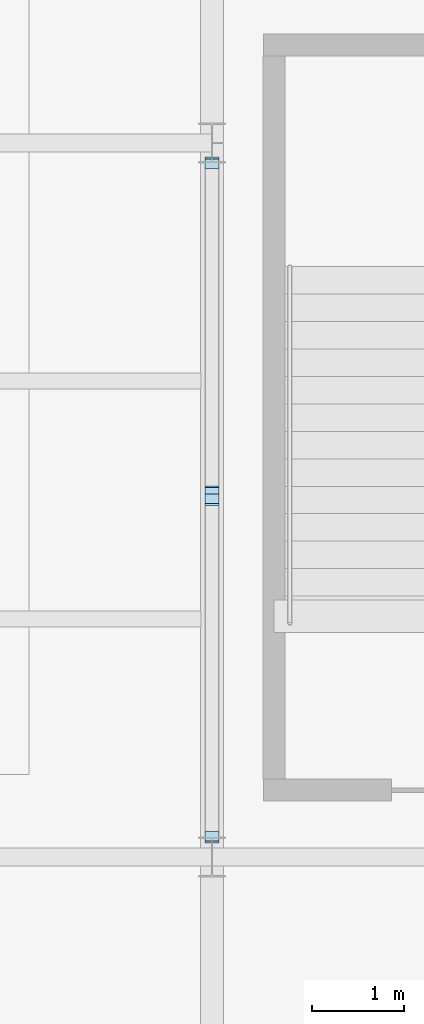
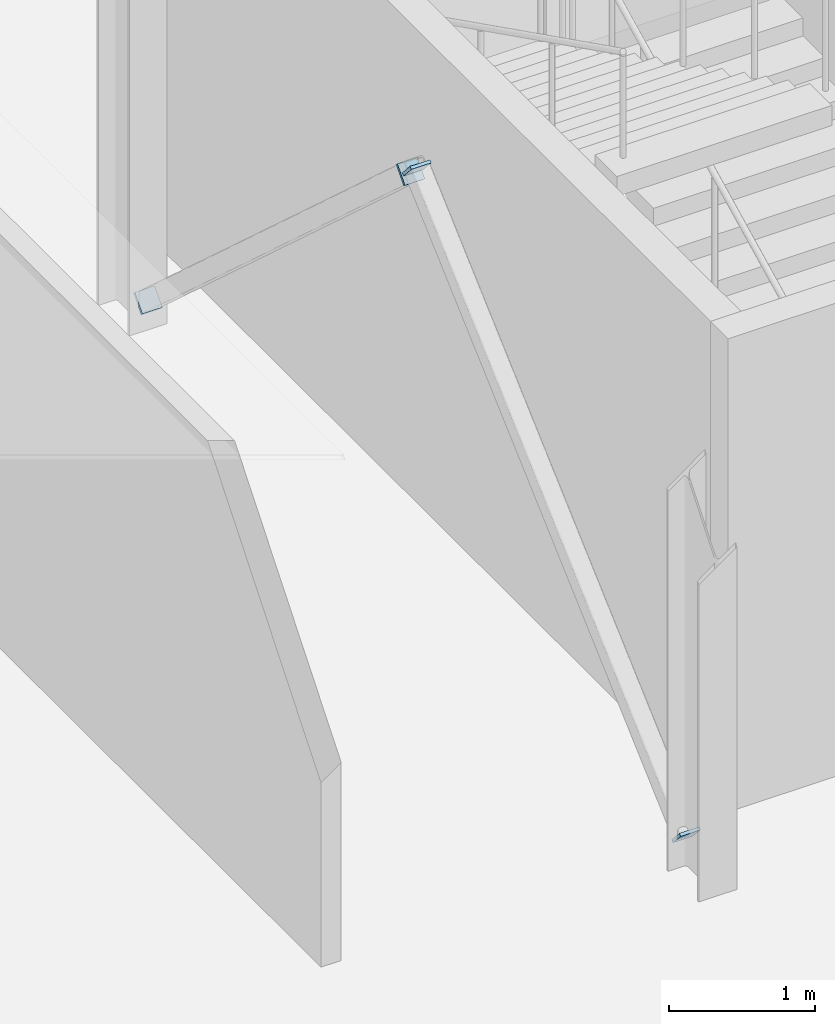
# One storey, part 56 of 75: 4 plates.
"""IFC4 building model written with IfcOpenShell, lengths in metres."""

import ifcopenshell
import ifcopenshell.guid

model = None  # the IFC model being written
_history = None  # IfcOwnerHistory: only IFC2X3 demands one
_inside = {}  # id of a spatial element -> (the spatial element, [elements in it])
_under = {}  # id of a project, library or spatial element -> (it, [spatial elements below it])
_declared = {}  # id of a project -> (the project, [libraries it declares])
_typed = {}  # id of a type object -> (the type object, [elements of that type])
_made_of = {}  # id of a material, layer set ... -> (it, [elements and type objects made of it])


def new_model(schema):
    """Start an empty IFC model of exactly this schema.

    Asked for "IFC4X3", IfcOpenShell would pick the latest addendum, in which some entities
    have other attributes; the version numbers below select the first issue.
    IFC2X3 requires an IfcOwnerHistory on every rooted entity: one is made here for all.
    """
    global model, _history
    if schema == "IFC4X3":
        model = ifcopenshell.file(schema_version=(4, 3, 0, 0))
    else:
        model = ifcopenshell.file(schema=schema)
    _inside.clear()
    _under.clear()
    _declared.clear()
    _typed.clear()
    _made_of.clear()
    _history = None
    if model.schema == "IFC2X3":
        org = make("IfcOrganization", Name="unknown")
        user = make(
            "IfcPersonAndOrganization",
            ThePerson=make("IfcPerson", FamilyName="unknown"),
            TheOrganization=org,
        )
        app = make(
            "IfcApplication",
            ApplicationDeveloper=org,
            Version="unknown",
            ApplicationFullName="unknown",
            ApplicationIdentifier="unknown",
        )
        _history = make(
            "IfcOwnerHistory",
            OwningUser=user,
            OwningApplication=app,
            ChangeAction="ADDED",
            CreationDate=0,
        )
    return model


def make(cls, **values):
    """One entity of the class cls with the attributes given. An attribute that is None is left unset."""
    return model.create_entity(
        cls, **{name: value for name, value in values.items() if value is not None}
    )


def rooted(cls, **values):
    """An entity with a GlobalId (a new one), such as an element, a storey or a relation."""
    return make(cls, GlobalId=ifcopenshell.guid.new(), OwnerHistory=_history, **values)


def si_unit(unit_type, name, prefix=None):
    """IfcSIUnit, for example si_unit("LENGTHUNIT", "METRE", prefix="MILLI")."""
    return make("IfcSIUnit", UnitType=unit_type, Prefix=prefix, Name=name)


def assignment(units):
    """IfcUnitAssignment: the units of a project."""
    return None if units is None else make("IfcUnitAssignment", Units=units)


def point(xyz):
    """IfcCartesianPoint."""
    return None if xyz is None else make("IfcCartesianPoint", Coordinates=xyz)


def direction(xyz):
    """IfcDirection."""
    return None if xyz is None else make("IfcDirection", DirectionRatios=xyz)


def frame(location, z_axis=None, x_axis=None):
    """IfcAxis2Placement3D, a coordinate frame: its origin and axes. An axis left out is left unset."""
    return make(
        "IfcAxis2Placement3D",
        Location=point(location),
        Axis=direction(z_axis),
        RefDirection=direction(x_axis),
    )


def frame_2d(location, x_axis=None):
    """IfcAxis2Placement2D, a coordinate frame in the plane: its origin and x axis."""
    return make(
        "IfcAxis2Placement2D", Location=point(location), RefDirection=direction(x_axis)
    )


def origin():
    """The frame at (0, 0, 0) with its axes left unset."""
    return frame((0.0, 0.0, 0.0))


def origin_2d():
    """The frame at (0, 0) in the plane with its x axis left unset."""
    return frame_2d((0.0, 0.0))


def place(relative_to, where):
    """IfcLocalPlacement: puts the frame where relative to a parent placement (None: the world)."""
    return make(
        "IfcLocalPlacement", PlacementRelTo=relative_to, RelativePlacement=where
    )


def context(
    kind, dimensions, precision=None, world=None, true_north=None, identifier=None
):
    """IfcGeometricRepresentationContext, for example the 3D "Model" context."""
    return make(
        "IfcGeometricRepresentationContext",
        ContextIdentifier=identifier,
        ContextType=kind,
        CoordinateSpaceDimension=dimensions,
        Precision=precision,
        WorldCoordinateSystem=world,
        TrueNorth=true_north,
    )


def subcontext(parent, identifier, kind, view, scale=None):
    """IfcGeometricRepresentationSubContext, for example "Body" below "Model"."""
    return make(
        "IfcGeometricRepresentationSubContext",
        ContextIdentifier=identifier,
        ContextType=kind,
        ParentContext=parent,
        TargetScale=scale,
        TargetView=view,
    )


def project(units=None, contexts=None):
    """IfcProject with its units and contexts."""
    return rooted(
        "IfcProject",
        Name="project",
        RepresentationContexts=contexts,
        UnitsInContext=assignment(units),
    )


def spatial(cls, under=None, at=None, **own):
    """A site, building, storey or space (cls), placed at a placement, below another one or the project."""
    s = rooted(cls, ObjectPlacement=at, **own)
    if under is not None:
        _under.setdefault(under.id(), (under, []))[1].append(s)
    return s


def profile(cls, at=None, kind="AREA", **sizes):
    """A parametric profile (cls). Its sizes go by their IFC names, for example OverallWidth=200.0."""
    return make(cls, ProfileType=kind, Position=at, **sizes)


def rectangle(**sizes):
    """IfcRectangleProfileDef."""
    return profile("IfcRectangleProfileDef", **sizes)


def extrude(swept, where, along, depth):
    """IfcExtrudedAreaSolid: the profile swept, set in the frame where, extruded along a direction by depth."""
    return make(
        "IfcExtrudedAreaSolid",
        SweptArea=swept,
        Position=where,
        ExtrudedDirection=direction(along),
        Depth=depth,
    )


def shape(context_of_items, identifier, shape_type, items):
    """IfcShapeRepresentation: the items that make up one representation, for example the "Body"."""
    return make(
        "IfcShapeRepresentation",
        ContextOfItems=context_of_items,
        RepresentationIdentifier=identifier,
        RepresentationType=shape_type,
        Items=items,
    )


def material(Name=None, Category=None):
    """IfcMaterial."""
    return make("IfcMaterial", Name=Name, Category=Category)


def layer(
    of_material, thickness, ventilated=None, Name=None, Category=None, Priority=None
):
    """IfcMaterialLayer: one layer of a wall or slab, of a material (None: an air gap)."""
    return make(
        "IfcMaterialLayer",
        Material=of_material,
        LayerThickness=thickness,
        IsVentilated=ventilated,
        Name=Name,
        Category=Category,
        Priority=Priority,
    )


def layer_set(layers, Name=None):
    """IfcMaterialLayerSet."""
    return make("IfcMaterialLayerSet", MaterialLayers=layers, LayerSetName=Name)


def made_of(thing, what):
    """Note that an element or type object is made of a material, layer set ...; save() writes the relation."""
    if what is not None:
        _made_of.setdefault(what.id(), (what, []))[1].append(thing)
    return thing


def type_object(cls, material=None, **own):
    """A type object (cls), such as IfcWallType, which elements share."""
    return made_of(rooted(cls, **own), material)


def element(
    cls,
    number,
    at=None,
    inside=None,
    cuts=None,
    type_object=None,
    material=None,
    context=None,
    identifier="Body",
    shape_type=None,
    held_by="IfcProductDefinitionShape",
    body=None,
    shapes=None,
    **own,
):
    """One element of the class cls, such as IfcWall. Its Tag is "e" and its number.

    at: its placement. inside: the storey or other place that contains it. cuts: it is an
    opening in that element (IfcRelVoidsElement). A single representation is given by context,
    identifier, shape_type and body (its items); several are given by shapes. held_by: the class
    of the entity that holds the representations. save() writes the other relations.
    """
    e = rooted(cls, Tag="e%d" % number, ObjectPlacement=at, **own)
    if body is not None:
        shapes = [shape(context, identifier, shape_type, body)]
    if shapes is not None:
        e.Representation = make(held_by, Representations=shapes)
    if inside is not None:
        _inside.setdefault(inside.id(), (inside, []))[1].append(e)
    if cuts is not None:
        rooted(
            "IfcRelVoidsElement", RelatingBuildingElement=cuts, RelatedOpeningElement=e
        )
    if type_object is not None:
        _typed.setdefault(type_object.id(), (type_object, []))[1].append(e)
    return made_of(e, material)


def aggregate(whole, parts):
    """IfcRelAggregates: a whole, such as a stair, and the parts it consists of."""
    return rooted("IfcRelAggregates", RelatingObject=whole, RelatedObjects=parts)


def save(model, path):
    """Write the relations noted so far, then the file.

    IfcRelAggregates (storeys below a building ...), IfcRelContainedInSpatialStructure (elements
    in a storey), IfcRelDefinesByType, IfcRelAssociatesMaterial and IfcRelDeclares: one each for
    every whole, place, type object, material and project.
    """
    for whole, parts in _under.values():
        aggregate(whole, parts)
    for where, things in _inside.values():
        rooted(
            "IfcRelContainedInSpatialStructure",
            RelatedElements=things,
            RelatingStructure=where,
        )
    for kind, things in _typed.values():
        rooted("IfcRelDefinesByType", RelatedObjects=things, RelatingType=kind)
    for what, things in _made_of.values():
        rooted("IfcRelAssociatesMaterial", RelatedObjects=things, RelatingMaterial=what)
    for by, libraries in _declared.values():
        rooted("IfcRelDeclares", RelatingContext=by, RelatedDefinitions=libraries)
    model.write(path)


model = new_model("IFC4")

# Units and contexts
model_context = context("Model", 3, precision=1e-05, world=origin(), true_north=direction((0.0, 1.0)))
body_context = subcontext(model_context, "Body", "Model", "MODEL_VIEW")
ifc_project = project(units=[si_unit("LENGTHUNIT", "METRE"), si_unit("AREAUNIT", "SQUARE_METRE"), si_unit("VOLUMEUNIT", "CUBIC_METRE"), si_unit("PLANEANGLEUNIT", "RADIAN"), si_unit("MASSUNIT", "GRAM", prefix="KILO")], contexts=[model_context])

# Site, building, storey
site_placement = place(None, origin())
site = spatial("IfcSite", under=ifc_project, at=site_placement, CompositionType="ELEMENT")
building_placement = place(site_placement, origin())
building = spatial("IfcBuilding", under=site, at=building_placement, Name="Yukiwa Park Conservatory and Herbarium", CompositionType="ELEMENT")
storey_placement = place(building_placement, frame((0.0, 0.0, 4.800048828125)))
storey = spatial("IfcBuildingStorey", under=building, at=storey_placement, Name="L01", CompositionType="ELEMENT", Elevation=4.800048828125)

# Plates
ifc_material = material(Name="Steel Q355D", Category="steel")
ifc_layer = layer(ifc_material, 0.02392578125)
ifc_layer_set = layer_set([ifc_layer], Name="Steel Q355D")
plate_type = type_object("IfcPlateType", Name="PL-CAP-24-INT", PredefinedType="USERDEFINED", material=ifc_layer_set)
for number, where, z_axis, x_axis, name in (
    (1, (76.0, 54.824462890625, 0.2529296875), (0.0, -0.741776460949, -0.670647211269), (1.0, 0.0, 0.0), "Hollow section end cap plate CAP-BR-L01-017A"),
    (2, (76.0, 58.494140625, 3.57470703125), (0.0, 0.746844593871, 0.664998610981), (-1.0, 0.0, 0.0), "Hollow section end cap plate CAP-BR-L01-017B"),
    (3, (76.0, 62.175537109375, 0.2529296875), (0.0, 0.741776460949, -0.670647211269), (-1.0, 0.0, 0.0), "Hollow section end cap plate CAP-BR-L01-018A"),
    (4, (76.0, 58.5986328125, 3.49072265625), (0.0, -0.741776460949, 0.670647211269), (1.0, 0.0, 0.0), "Hollow section end cap plate CAP-BR-L01-018B"),
):
    element("IfcPlate", number, at=place(storey_placement, frame(where, z_axis=z_axis, x_axis=x_axis)), inside=storey, type_object=plate_type, Name=name, ObjectType="END CAP PLATE", PredefinedType="USERDEFINED", context=body_context, shape_type="SweptSolid", body=[
        extrude(rectangle(XDim=0.157958984375, YDim=0.157958984375, at=origin_2d()), origin(), (0.0, 0.0, 1.0), 0.02392578125),
    ])

save(model, "model.ifc")
